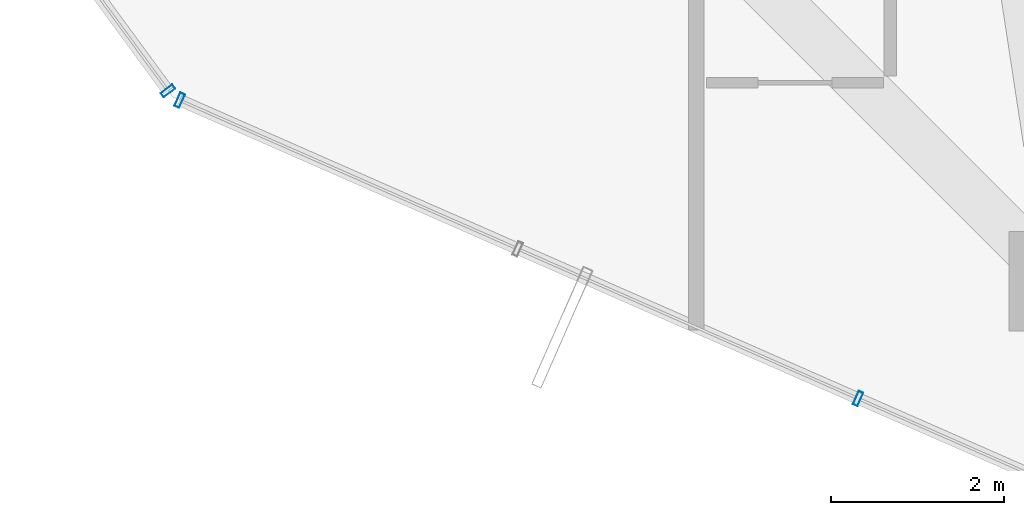
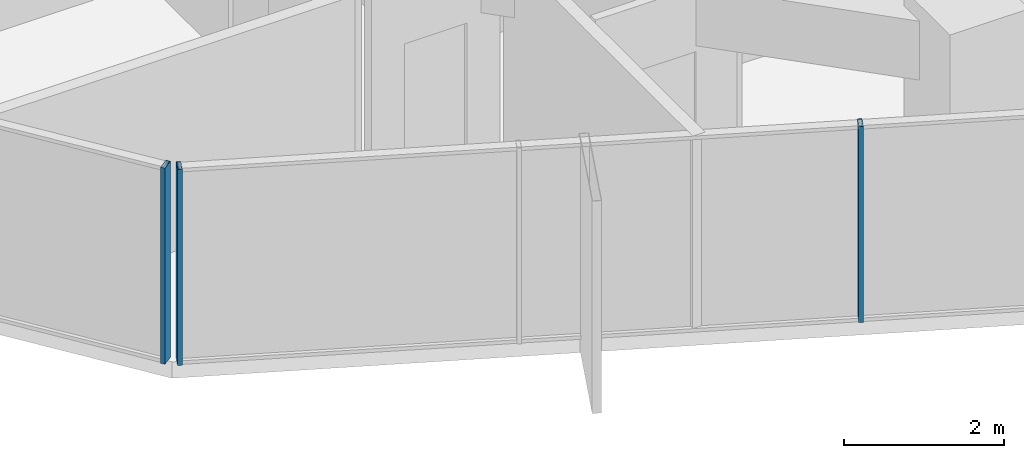
# One storey, part 2 of 34: 3 members, 2 elements without a shape of their own.
"""IFC4 building model written with IfcOpenShell, lengths in metres."""

from ifc_helpers import new_model, si_unit, direction, frame, origin, origin_2d, place, context, subcontext, project, spatial, hollow_rectangle, extrude, source, transform, mapped, material, layer, layer_set, material_profile, profile_set, type_object, element, aggregate, save


model = new_model("IFC4")

# Units and contexts
model_context = context("Model", 3, precision=1e-05, world=origin(), true_north=direction((0.0, 1.0)))
body_context = subcontext(model_context, "Body", "Model", "MODEL_VIEW")
ifc_project = project(units=[si_unit("LENGTHUNIT", "METRE"), si_unit("AREAUNIT", "SQUARE_METRE"), si_unit("VOLUMEUNIT", "CUBIC_METRE"), si_unit("PLANEANGLEUNIT", "RADIAN"), si_unit("MASSUNIT", "GRAM", prefix="KILO")], contexts=[model_context])

# Site, building, storey
site_placement = place(None, origin())
site = spatial("IfcSite", under=ifc_project, at=site_placement, CompositionType="ELEMENT")
building_placement = place(site_placement, origin())
building = spatial("IfcBuilding", under=site, at=building_placement, Name="Veraguas Prism Commons", CompositionType="ELEMENT")
storey_placement = place(building_placement, frame((0.0, 0.0, 149.0)))
storey = spatial("IfcBuildingStorey", under=building, at=storey_placement, Name="L42", CompositionType="ELEMENT", Elevation=149.0)

# Curtain wall, members
ifc_material = material(Name="Anodised aluminium EN AW-6063 T6", Category="aluminium")
ifc_layer = layer(ifc_material, 0.169921875, Name="Unitised Flush Curtain Wall Zone 2", Category="aluminium")
ifc_layer_set = layer_set([ifc_layer], Name="Anodised aluminium EN AW-6063 T6")
curtain_wall_type = type_object("IfcCurtainWallType", Name="Unitised Flush Curtain Wall Zone 2", PredefinedType="NOTDEFINED", material=ifc_layer_set)
curtain_wall_1_placement = place(storey_placement, origin())
curtain_wall_1 = element("IfcCurtainWall", 1, at=curtain_wall_1_placement, inside=storey, type_object=curtain_wall_type, Name="Tower Facade Curtain Wall L42-F4", PredefinedType="NOTDEFINED")
ifc_material_profile = material_profile(ifc_material, hollow_rectangle(XDim=0.06005859375, YDim=0.169921875, WallThickness=0.00390625, at=origin_2d()), Name="AL60X170X4")
ifc_profile_set = profile_set([ifc_material_profile], Name="Anodised aluminium EN AW-6063 T6")
member_type = type_object("IfcMemberType", Name="Curtain Wall Mullion Lower AL 60x170x4", PredefinedType="MULLION", material=ifc_profile_set)
shared_shape = source(origin(), body_context, "Body", "SweptSolid", [
    extrude(hollow_rectangle(XDim=0.06005859375, YDim=0.169921875, WallThickness=0.00390625, at=origin_2d()), origin(), (0.0, 0.0, 1.0), 3.0),
])
member_1_placement = place(storey_placement, frame((8.416748046875, 9.897705078125, 0.0), z_axis=(0.0, 0.0, 1.0), x_axis=(0.915385270935, -0.402578943507, 0.0)))
member_1 = element("IfcMember", 2, at=member_1_placement, type_object=member_type, Name="CW-Z2 Mullion 1", PredefinedType="MULLION", context=body_context, shape_type="MappedRepresentation", body=[
    mapped(shared_shape, transform((0.0, 0.0, 0.0), scale=1.0)),
])
member_2_placement = place(storey_placement, frame((16.27734375, 6.440673828125, 0.0), z_axis=(0.0, 0.0, 1.0), x_axis=(0.915385270935, -0.402578943507, 0.0)))
member_2 = element("IfcMember", 3, at=member_2_placement, type_object=member_type, Name="CW-Z2 Mullion 3", PredefinedType="MULLION", context=body_context, shape_type="MappedRepresentation", body=[
    mapped(shared_shape, transform((0.0, 0.0, 0.0), scale=1.0)),
])
aggregate(curtain_wall_1, [member_1, member_2])

# Curtain wall, member
curtain_wall_2_placement = place(storey_placement, origin())
curtain_wall_2 = element("IfcCurtainWall", 4, at=curtain_wall_2_placement, inside=storey, type_object=curtain_wall_type, Name="Chamfer Curtain Wall L42-C4", PredefinedType="NOTDEFINED")
member_3_placement = place(storey_placement, frame((8.28125, 10.006591796875, 0.0), z_axis=(0.0, 0.0, 1.0), x_axis=(0.591432095034, -0.806354808359, 0.0)))
member_3 = element("IfcMember", 5, at=member_3_placement, type_object=member_type, Name="CW-Z2 Mullion 2", PredefinedType="MULLION", context=body_context, shape_type="MappedRepresentation", body=[
    mapped(shared_shape, transform((0.0, 0.0, 0.0), scale=1.0)),
])
aggregate(curtain_wall_2, [member_3])

save(model, "model.ifc")
